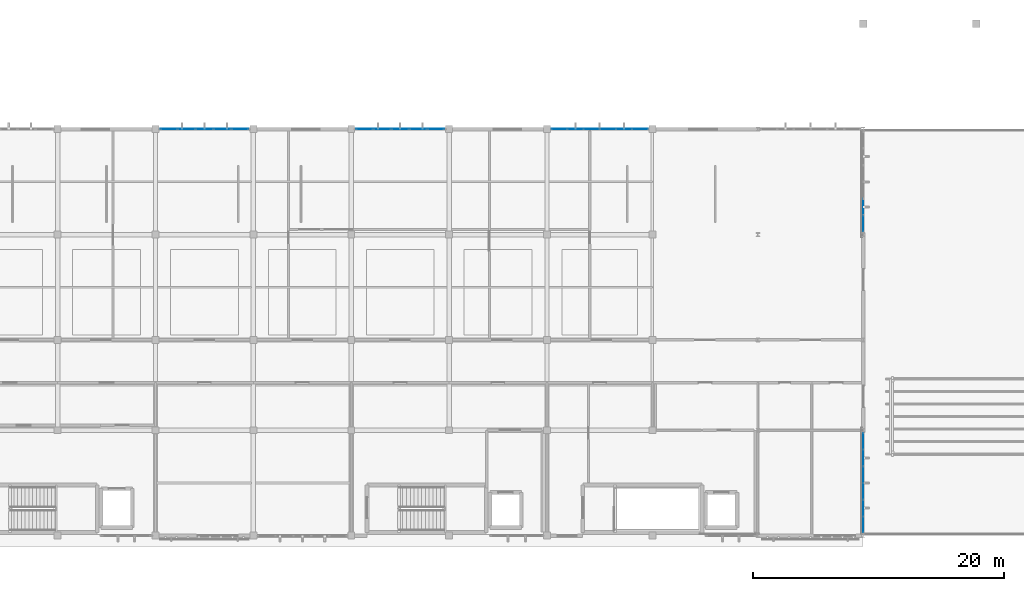
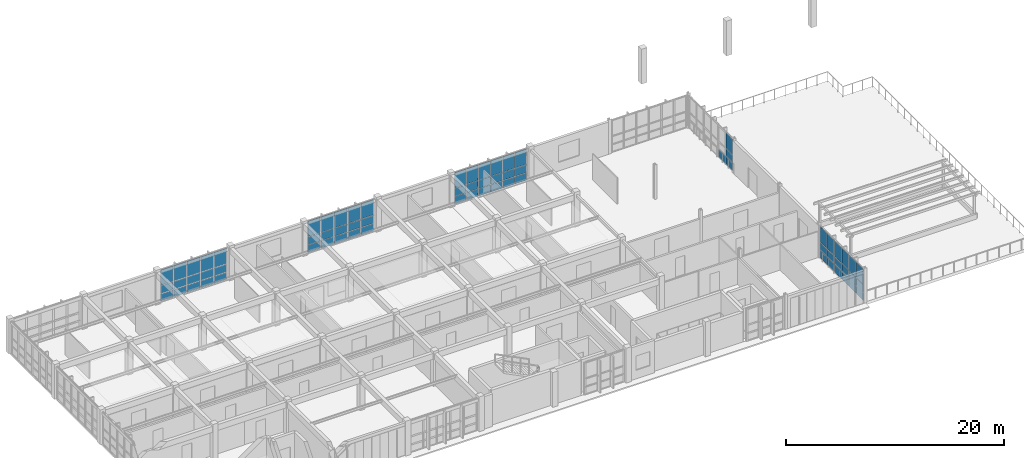
# One storey, part 20 of 35: 70 plates, 5 elements without a shape of their own.
"""IFC4 building model written with IfcOpenShell, lengths in metres."""

from ifc_helpers import new_model, si_unit, direction, frame, origin, origin_2d, place, context, subcontext, project, spatial, rectangle, extrude, material, layer, layer_set, type_object, element, aggregate, save


model = new_model("IFC4")

# Units and contexts
model_context = context("Model", 3, precision=1e-05, world=origin(), true_north=direction((0.0, 1.0)))
body_context = subcontext(model_context, "Body", "Model", "MODEL_VIEW")
ifc_project = project(units=[si_unit("LENGTHUNIT", "METRE"), si_unit("AREAUNIT", "SQUARE_METRE"), si_unit("VOLUMEUNIT", "CUBIC_METRE"), si_unit("PLANEANGLEUNIT", "RADIAN"), si_unit("MASSUNIT", "GRAM", prefix="KILO")], contexts=[model_context])

# Site, building, storey
site_placement = place(None, origin())
site = spatial("IfcSite", under=ifc_project, at=site_placement, CompositionType="ELEMENT")
building_placement = place(site_placement, origin())
building = spatial("IfcBuilding", under=site, at=building_placement, Name="Tizgana Railside Sports Hall", CompositionType="ELEMENT")
storey_placement = place(building_placement, frame((0.0, 0.0, 15.89990234375)))
storey = spatial("IfcBuildingStorey", under=building, at=storey_placement, Name="L03", CompositionType="ELEMENT", Elevation=15.89990234375)

# Curtain wall, plates
ifc_material_1 = material(Name="Anodised aluminium and glass", Category="aluminium")
curtain_wall_type_1 = type_object("IfcCurtainWallType", Name="Unitised Curtain Wall Passage 1800", PredefinedType="NOTDEFINED", material=ifc_material_1)
curtain_wall_1_placement = place(storey_placement, origin())
curtain_wall_1 = element("IfcCurtainWall", 1, at=curtain_wall_1_placement, inside=storey, type_object=curtain_wall_type_1, Name="L03 Curtain Wall CW-0125", PredefinedType="NOTDEFINED")
ifc_material_2 = material(Name="Double low-E laminated glass", Category="glass")
ifc_layer_1 = layer(ifc_material_2, 0.033935546875, Name="Double low-E laminated glass")
ifc_layer_set_1 = layer_set([ifc_layer_1], Name="Double low-E laminated glass")
plate_type_1 = type_object("IfcPlateType", Name="Acoustic Laminated Glazing Panel 34", PredefinedType="CURTAIN_PANEL", material=ifc_layer_set_1)
plate_1_placement = place(storey_placement, frame((40.062744140625, 32.39990234375, 0.05517578125), z_axis=(0.0, 0.0, 1.0), x_axis=(1.0, 0.0, 0.0)))
plate_1 = element("IfcPlate", 2, at=plate_1_placement, type_object=plate_type_1, Name="CW-06 panel 1.1", PredefinedType="CURTAIN_PANEL", context=body_context, shape_type="SweptSolid", body=[
    extrude(rectangle(XDim=1.3154296875, YDim=0.033935546875, at=origin_2d()), origin(), (0.0, 0.0, 1.0), 0.8173828125),
])
plate_2_placement = place(storey_placement, frame((40.062744140625, 32.39990234375, 0.927734375), z_axis=(0.0, 0.0, 1.0), x_axis=(1.0, 0.0, 0.0)))
plate_2 = element("IfcPlate", 3, at=plate_2_placement, type_object=plate_type_1, Name="CW-06 panel 1.2", PredefinedType="CURTAIN_PANEL", context=body_context, shape_type="SweptSolid", body=[
    extrude(rectangle(XDim=1.3154296875, YDim=0.033935546875, at=origin_2d()), origin(), (0.0, 0.0, 1.0), 0.864990234375),
])
plate_3_placement = place(storey_placement, frame((40.062744140625, 32.39990234375, 1.84765625), z_axis=(0.0, 0.0, 1.0), x_axis=(1.0, 0.0, 0.0)))
plate_3 = element("IfcPlate", 4, at=plate_3_placement, type_object=plate_type_1, Name="CW-06 panel 1.3", PredefinedType="CURTAIN_PANEL", context=body_context, shape_type="SweptSolid", body=[
    extrude(rectangle(XDim=1.3154296875, YDim=0.033935546875, at=origin_2d()), origin(), (0.0, 0.0, 1.0), 1.737548828125),
])
plate_4_placement = place(storey_placement, frame((41.471923828125, 32.39990234375, 0.05517578125), z_axis=(0.0, 0.0, 1.0), x_axis=(1.0, 0.0, 0.0)))
plate_4 = element("IfcPlate", 5, at=plate_4_placement, type_object=plate_type_1, Name="CW-06 panel 2.1", PredefinedType="CURTAIN_PANEL", context=body_context, shape_type="SweptSolid", body=[
    extrude(rectangle(XDim=1.35302734375, YDim=0.033935546875, at=origin_2d()), origin(), (0.0, 0.0, 1.0), 0.8173828125),
])
plate_5_placement = place(storey_placement, frame((41.471923828125, 32.39990234375, 0.927734375), z_axis=(0.0, 0.0, 1.0), x_axis=(1.0, 0.0, 0.0)))
plate_5 = element("IfcPlate", 6, at=plate_5_placement, type_object=plate_type_1, Name="CW-06 panel 2.2", PredefinedType="CURTAIN_PANEL", context=body_context, shape_type="SweptSolid", body=[
    extrude(rectangle(XDim=1.35302734375, YDim=0.033935546875, at=origin_2d()), origin(), (0.0, 0.0, 1.0), 0.864990234375),
])
plate_6_placement = place(storey_placement, frame((41.471923828125, 32.39990234375, 1.84765625), z_axis=(0.0, 0.0, 1.0), x_axis=(1.0, 0.0, 0.0)))
plate_6 = element("IfcPlate", 7, at=plate_6_placement, type_object=plate_type_1, Name="CW-06 panel 2.3", PredefinedType="CURTAIN_PANEL", context=body_context, shape_type="SweptSolid", body=[
    extrude(rectangle(XDim=1.35302734375, YDim=0.033935546875, at=origin_2d()), origin(), (0.0, 0.0, 1.0), 1.737548828125),
])
plate_7_placement = place(storey_placement, frame((42.89990234375, 32.39990234375, 0.05517578125), z_axis=(0.0, 0.0, 1.0), x_axis=(1.0, 0.0, 0.0)))
plate_7 = element("IfcPlate", 8, at=plate_7_placement, type_object=plate_type_1, Name="CW-06 panel 3.1", PredefinedType="CURTAIN_PANEL", context=body_context, shape_type="SweptSolid", body=[
    extrude(rectangle(XDim=1.35302734375, YDim=0.033935546875, at=origin_2d()), origin(), (0.0, 0.0, 1.0), 0.8173828125),
])
plate_8_placement = place(storey_placement, frame((42.89990234375, 32.39990234375, 0.927734375), z_axis=(0.0, 0.0, 1.0), x_axis=(1.0, 0.0, 0.0)))
plate_8 = element("IfcPlate", 9, at=plate_8_placement, type_object=plate_type_1, Name="CW-06 panel 3.2", PredefinedType="CURTAIN_PANEL", context=body_context, shape_type="SweptSolid", body=[
    extrude(rectangle(XDim=1.35302734375, YDim=0.033935546875, at=origin_2d()), origin(), (0.0, 0.0, 1.0), 0.864990234375),
])
plate_9_placement = place(storey_placement, frame((42.89990234375, 32.39990234375, 1.84765625), z_axis=(0.0, 0.0, 1.0), x_axis=(1.0, 0.0, 0.0)))
plate_9 = element("IfcPlate", 10, at=plate_9_placement, type_object=plate_type_1, Name="CW-06 panel 3.3", PredefinedType="CURTAIN_PANEL", context=body_context, shape_type="SweptSolid", body=[
    extrude(rectangle(XDim=1.35302734375, YDim=0.033935546875, at=origin_2d()), origin(), (0.0, 0.0, 1.0), 1.737548828125),
])
plate_10_placement = place(storey_placement, frame((44.327880859375, 32.39990234375, 0.05517578125), z_axis=(0.0, 0.0, 1.0), x_axis=(1.0, 0.0, 0.0)))
plate_10 = element("IfcPlate", 11, at=plate_10_placement, type_object=plate_type_1, Name="CW-06 panel 4.1", PredefinedType="CURTAIN_PANEL", context=body_context, shape_type="SweptSolid", body=[
    extrude(rectangle(XDim=1.35302734375, YDim=0.033935546875, at=origin_2d()), origin(), (0.0, 0.0, 1.0), 0.8173828125),
])
plate_11_placement = place(storey_placement, frame((44.327880859375, 32.39990234375, 0.927734375), z_axis=(0.0, 0.0, 1.0), x_axis=(1.0, 0.0, 0.0)))
plate_11 = element("IfcPlate", 12, at=plate_11_placement, type_object=plate_type_1, Name="CW-06 panel 4.2", PredefinedType="CURTAIN_PANEL", context=body_context, shape_type="SweptSolid", body=[
    extrude(rectangle(XDim=1.35302734375, YDim=0.033935546875, at=origin_2d()), origin(), (0.0, 0.0, 1.0), 0.864990234375),
])
plate_12_placement = place(storey_placement, frame((44.327880859375, 32.39990234375, 1.84765625), z_axis=(0.0, 0.0, 1.0), x_axis=(1.0, 0.0, 0.0)))
plate_12 = element("IfcPlate", 13, at=plate_12_placement, type_object=plate_type_1, Name="CW-06 panel 4.3", PredefinedType="CURTAIN_PANEL", context=body_context, shape_type="SweptSolid", body=[
    extrude(rectangle(XDim=1.35302734375, YDim=0.033935546875, at=origin_2d()), origin(), (0.0, 0.0, 1.0), 1.737548828125),
])
plate_13_placement = place(storey_placement, frame((45.7373046875, 32.39990234375, 0.05517578125), z_axis=(0.0, 0.0, 1.0), x_axis=(1.0, 0.0, 0.0)))
plate_13 = element("IfcPlate", 14, at=plate_13_placement, type_object=plate_type_1, Name="CW-06 panel 5.1", PredefinedType="CURTAIN_PANEL", context=body_context, shape_type="SweptSolid", body=[
    extrude(rectangle(XDim=1.3154296875, YDim=0.033935546875, at=origin_2d()), origin(), (0.0, 0.0, 1.0), 0.8173828125),
])
plate_14_placement = place(storey_placement, frame((45.7373046875, 32.39990234375, 0.927734375), z_axis=(0.0, 0.0, 1.0), x_axis=(1.0, 0.0, 0.0)))
plate_14 = element("IfcPlate", 15, at=plate_14_placement, type_object=plate_type_1, Name="CW-06 panel 5.2", PredefinedType="CURTAIN_PANEL", context=body_context, shape_type="SweptSolid", body=[
    extrude(rectangle(XDim=1.3154296875, YDim=0.033935546875, at=origin_2d()), origin(), (0.0, 0.0, 1.0), 0.864990234375),
])
plate_15_placement = place(storey_placement, frame((45.7373046875, 32.39990234375, 1.84765625), z_axis=(0.0, 0.0, 1.0), x_axis=(1.0, 0.0, 0.0)))
plate_15 = element("IfcPlate", 16, at=plate_15_placement, type_object=plate_type_1, Name="CW-06 panel 5.3", PredefinedType="CURTAIN_PANEL", context=body_context, shape_type="SweptSolid", body=[
    extrude(rectangle(XDim=1.3154296875, YDim=0.033935546875, at=origin_2d()), origin(), (0.0, 0.0, 1.0), 1.737548828125),
])
aggregate(curtain_wall_1, [plate_1, plate_2, plate_3, plate_4, plate_5, plate_6, plate_7, plate_8, plate_9, plate_10, plate_11, plate_12, plate_13, plate_14, plate_15])

curtain_wall_2_placement = place(storey_placement, origin())
curtain_wall_2 = element("IfcCurtainWall", 17, at=curtain_wall_2_placement, inside=storey, type_object=curtain_wall_type_1, Name="L03 Curtain Wall CW-0133", PredefinedType="NOTDEFINED")
plate_16_placement = place(storey_placement, frame((79.800048828125, 26.197509765625, 0.06005859375), z_axis=(0.0, 0.0, 1.0), x_axis=(0.0, -1.0, 0.0)))
plate_16 = element("IfcPlate", 18, at=plate_16_placement, type_object=plate_type_1, Name="CW-06 panel 5.1", PredefinedType="CURTAIN_PANEL", context=body_context, shape_type="SweptSolid", body=[
    extrude(rectangle(XDim=1.27490234375, YDim=0.033935546875, at=origin_2d()), origin(), (0.0, 0.0, 1.0), 0.81005859375),
])
plate_17_placement = place(storey_placement, frame((79.800048828125, 24.87744140625, 0.06005859375), z_axis=(0.0, 0.0, 1.0), x_axis=(0.0, -1.0, 0.0)))
plate_17 = element("IfcPlate", 19, at=plate_17_placement, type_object=plate_type_1, Name="CW-06 panel 6.1", PredefinedType="CURTAIN_PANEL", context=body_context, shape_type="SweptSolid", body=[
    extrude(rectangle(XDim=1.2451171875, YDim=0.033935546875, at=origin_2d()), origin(), (0.0, 0.0, 1.0), 0.81005859375),
])
plate_18_placement = place(storey_placement, frame((79.800048828125, 24.87744140625, 0.93017578125), z_axis=(0.0, 0.0, 1.0), x_axis=(0.0, -1.0, 0.0)))
plate_18 = element("IfcPlate", 20, at=plate_18_placement, type_object=plate_type_1, Name="CW-06 panel 6.2", PredefinedType="CURTAIN_PANEL", context=body_context, shape_type="SweptSolid", body=[
    extrude(rectangle(XDim=1.2451171875, YDim=0.033935546875, at=origin_2d()), origin(), (0.0, 0.0, 1.0), 0.860107421875),
])
plate_19_placement = place(storey_placement, frame((79.800048828125, 24.87744140625, 1.85009765625), z_axis=(0.0, 0.0, 1.0), x_axis=(0.0, -1.0, 0.0)))
plate_19 = element("IfcPlate", 21, at=plate_19_placement, type_object=plate_type_1, Name="CW-06 panel 6.3", PredefinedType="CURTAIN_PANEL", context=body_context, shape_type="SweptSolid", body=[
    extrude(rectangle(XDim=1.2451171875, YDim=0.033935546875, at=origin_2d()), origin(), (0.0, 0.0, 1.0), 1.72998046875),
])
aggregate(curtain_wall_2, [plate_16, plate_17, plate_18, plate_19])

curtain_wall_type_2 = type_object("IfcCurtainWallType", Name="Unitised Curtain Wall WestHall 1560", PredefinedType="NOTDEFINED", material=ifc_material_1)
curtain_wall_3_placement = place(storey_placement, origin())
curtain_wall_3 = element("IfcCurtainWall", 22, at=curtain_wall_3_placement, inside=storey, type_object=curtain_wall_type_2, Name="L03 Curtain Wall CW-0126", PredefinedType="NOTDEFINED")
ifc_layer_2 = layer(ifc_material_2, 0.0400390625, Name="Double low-E laminated glass")
ifc_layer_set_2 = layer_set([ifc_layer_2], Name="Double low-E laminated glass")
plate_type_2 = type_object("IfcPlateType", Name="High-Span Tempered Glazing Panel 40", PredefinedType="CURTAIN_PANEL", material=ifc_layer_set_2)
plate_20_placement = place(storey_placement, frame((55.590087890625, 32.39990234375, 0.06005859375), z_axis=(0.0, 0.0, 1.0), x_axis=(1.0, 0.0, 0.0)))
plate_20 = element("IfcPlate", 23, at=plate_20_placement, type_object=plate_type_2, Name="CW-07 panel 1.1", PredefinedType="CURTAIN_PANEL", context=body_context, shape_type="SweptSolid", body=[
    extrude(rectangle(XDim=1.199951171875, YDim=0.0400390625, at=origin_2d()), origin(), (0.0, 0.0, 1.0), 0.81005859375),
])
plate_21_placement = place(storey_placement, frame((55.590087890625, 32.39990234375, 0.93017578125), z_axis=(0.0, 0.0, 1.0), x_axis=(1.0, 0.0, 0.0)))
plate_21 = element("IfcPlate", 24, at=plate_21_placement, type_object=plate_type_2, Name="CW-07 panel 1.2", PredefinedType="CURTAIN_PANEL", context=body_context, shape_type="SweptSolid", body=[
    extrude(rectangle(XDim=1.199951171875, YDim=0.0400390625, at=origin_2d()), origin(), (0.0, 0.0, 1.0), 0.860107421875),
])
plate_22_placement = place(storey_placement, frame((55.590087890625, 32.39990234375, 1.85009765625), z_axis=(0.0, 0.0, 1.0), x_axis=(1.0, 0.0, 0.0)))
plate_22 = element("IfcPlate", 25, at=plate_22_placement, type_object=plate_type_2, Name="CW-07 panel 1.3", PredefinedType="CURTAIN_PANEL", context=body_context, shape_type="SweptSolid", body=[
    extrude(rectangle(XDim=1.199951171875, YDim=0.0400390625, at=origin_2d()), origin(), (0.0, 0.0, 1.0), 1.72998046875),
])
plate_23_placement = place(storey_placement, frame((56.864990234375, 32.39990234375, 0.06005859375), z_axis=(0.0, 0.0, 1.0), x_axis=(1.0, 0.0, 0.0)))
plate_23 = element("IfcPlate", 26, at=plate_23_placement, type_object=plate_type_2, Name="CW-07 panel 2.1", PredefinedType="CURTAIN_PANEL", context=body_context, shape_type="SweptSolid", body=[
    extrude(rectangle(XDim=1.22998046875, YDim=0.0400390625, at=origin_2d()), origin(), (0.0, 0.0, 1.0), 0.81005859375),
])
plate_24_placement = place(storey_placement, frame((56.864990234375, 32.39990234375, 0.93017578125), z_axis=(0.0, 0.0, 1.0), x_axis=(1.0, 0.0, 0.0)))
plate_24 = element("IfcPlate", 27, at=plate_24_placement, type_object=plate_type_2, Name="CW-07 panel 2.2", PredefinedType="CURTAIN_PANEL", context=body_context, shape_type="SweptSolid", body=[
    extrude(rectangle(XDim=1.22998046875, YDim=0.0400390625, at=origin_2d()), origin(), (0.0, 0.0, 1.0), 0.860107421875),
])
plate_25_placement = place(storey_placement, frame((56.864990234375, 32.39990234375, 1.85009765625), z_axis=(0.0, 0.0, 1.0), x_axis=(1.0, 0.0, 0.0)))
plate_25 = element("IfcPlate", 28, at=plate_25_placement, type_object=plate_type_2, Name="CW-07 panel 2.3", PredefinedType="CURTAIN_PANEL", context=body_context, shape_type="SweptSolid", body=[
    extrude(rectangle(XDim=1.22998046875, YDim=0.0400390625, at=origin_2d()), origin(), (0.0, 0.0, 1.0), 1.72998046875),
])
plate_26_placement = place(storey_placement, frame((58.155029296875, 32.39990234375, 0.06005859375), z_axis=(0.0, 0.0, 1.0), x_axis=(1.0, 0.0, 0.0)))
plate_26 = element("IfcPlate", 29, at=plate_26_placement, type_object=plate_type_2, Name="CW-07 panel 3.1", PredefinedType="CURTAIN_PANEL", context=body_context, shape_type="SweptSolid", body=[
    extrude(rectangle(XDim=1.22998046875, YDim=0.0400390625, at=origin_2d()), origin(), (0.0, 0.0, 1.0), 0.81005859375),
])
plate_27_placement = place(storey_placement, frame((58.155029296875, 32.39990234375, 0.93017578125), z_axis=(0.0, 0.0, 1.0), x_axis=(1.0, 0.0, 0.0)))
plate_27 = element("IfcPlate", 30, at=plate_27_placement, type_object=plate_type_2, Name="CW-07 panel 3.2", PredefinedType="CURTAIN_PANEL", context=body_context, shape_type="SweptSolid", body=[
    extrude(rectangle(XDim=1.22998046875, YDim=0.0400390625, at=origin_2d()), origin(), (0.0, 0.0, 1.0), 0.860107421875),
])
plate_28_placement = place(storey_placement, frame((58.155029296875, 32.39990234375, 1.85009765625), z_axis=(0.0, 0.0, 1.0), x_axis=(1.0, 0.0, 0.0)))
plate_28 = element("IfcPlate", 31, at=plate_28_placement, type_object=plate_type_2, Name="CW-07 panel 3.3", PredefinedType="CURTAIN_PANEL", context=body_context, shape_type="SweptSolid", body=[
    extrude(rectangle(XDim=1.22998046875, YDim=0.0400390625, at=origin_2d()), origin(), (0.0, 0.0, 1.0), 1.72998046875),
])
plate_29_placement = place(storey_placement, frame((59.445068359375, 32.39990234375, 0.06005859375), z_axis=(0.0, 0.0, 1.0), x_axis=(1.0, 0.0, 0.0)))
plate_29 = element("IfcPlate", 32, at=plate_29_placement, type_object=plate_type_2, Name="CW-07 panel 4.1", PredefinedType="CURTAIN_PANEL", context=body_context, shape_type="SweptSolid", body=[
    extrude(rectangle(XDim=1.22998046875, YDim=0.0400390625, at=origin_2d()), origin(), (0.0, 0.0, 1.0), 0.81005859375),
])
plate_30_placement = place(storey_placement, frame((59.445068359375, 32.39990234375, 0.93017578125), z_axis=(0.0, 0.0, 1.0), x_axis=(1.0, 0.0, 0.0)))
plate_30 = element("IfcPlate", 33, at=plate_30_placement, type_object=plate_type_2, Name="CW-07 panel 4.2", PredefinedType="CURTAIN_PANEL", context=body_context, shape_type="SweptSolid", body=[
    extrude(rectangle(XDim=1.22998046875, YDim=0.0400390625, at=origin_2d()), origin(), (0.0, 0.0, 1.0), 0.860107421875),
])
plate_31_placement = place(storey_placement, frame((59.445068359375, 32.39990234375, 1.85009765625), z_axis=(0.0, 0.0, 1.0), x_axis=(1.0, 0.0, 0.0)))
plate_31 = element("IfcPlate", 34, at=plate_31_placement, type_object=plate_type_2, Name="CW-07 panel 4.3", PredefinedType="CURTAIN_PANEL", context=body_context, shape_type="SweptSolid", body=[
    extrude(rectangle(XDim=1.22998046875, YDim=0.0400390625, at=origin_2d()), origin(), (0.0, 0.0, 1.0), 1.72998046875),
])
plate_32_placement = place(storey_placement, frame((60.735107421875, 32.39990234375, 0.06005859375), z_axis=(0.0, 0.0, 1.0), x_axis=(1.0, 0.0, 0.0)))
plate_32 = element("IfcPlate", 35, at=plate_32_placement, type_object=plate_type_2, Name="CW-07 panel 5.1", PredefinedType="CURTAIN_PANEL", context=body_context, shape_type="SweptSolid", body=[
    extrude(rectangle(XDim=1.22998046875, YDim=0.0400390625, at=origin_2d()), origin(), (0.0, 0.0, 1.0), 0.81005859375),
])
plate_33_placement = place(storey_placement, frame((60.735107421875, 32.39990234375, 0.93017578125), z_axis=(0.0, 0.0, 1.0), x_axis=(1.0, 0.0, 0.0)))
plate_33 = element("IfcPlate", 36, at=plate_33_placement, type_object=plate_type_2, Name="CW-07 panel 5.2", PredefinedType="CURTAIN_PANEL", context=body_context, shape_type="SweptSolid", body=[
    extrude(rectangle(XDim=1.22998046875, YDim=0.0400390625, at=origin_2d()), origin(), (0.0, 0.0, 1.0), 0.860107421875),
])
plate_34_placement = place(storey_placement, frame((60.735107421875, 32.39990234375, 1.85009765625), z_axis=(0.0, 0.0, 1.0), x_axis=(1.0, 0.0, 0.0)))
plate_34 = element("IfcPlate", 37, at=plate_34_placement, type_object=plate_type_2, Name="CW-07 panel 5.3", PredefinedType="CURTAIN_PANEL", context=body_context, shape_type="SweptSolid", body=[
    extrude(rectangle(XDim=1.22998046875, YDim=0.0400390625, at=origin_2d()), origin(), (0.0, 0.0, 1.0), 1.72998046875),
])
plate_35_placement = place(storey_placement, frame((62.010009765625, 32.39990234375, 0.06005859375), z_axis=(0.0, 0.0, 1.0), x_axis=(1.0, 0.0, 0.0)))
plate_35 = element("IfcPlate", 38, at=plate_35_placement, type_object=plate_type_2, Name="CW-07 panel 6.1", PredefinedType="CURTAIN_PANEL", context=body_context, shape_type="SweptSolid", body=[
    extrude(rectangle(XDim=1.199951171875, YDim=0.0400390625, at=origin_2d()), origin(), (0.0, 0.0, 1.0), 0.81005859375),
])
plate_36_placement = place(storey_placement, frame((62.010009765625, 32.39990234375, 0.93017578125), z_axis=(0.0, 0.0, 1.0), x_axis=(1.0, 0.0, 0.0)))
plate_36 = element("IfcPlate", 39, at=plate_36_placement, type_object=plate_type_2, Name="CW-07 panel 6.2", PredefinedType="CURTAIN_PANEL", context=body_context, shape_type="SweptSolid", body=[
    extrude(rectangle(XDim=1.199951171875, YDim=0.0400390625, at=origin_2d()), origin(), (0.0, 0.0, 1.0), 0.860107421875),
])
plate_37_placement = place(storey_placement, frame((62.010009765625, 32.39990234375, 1.85009765625), z_axis=(0.0, 0.0, 1.0), x_axis=(1.0, 0.0, 0.0)))
plate_37 = element("IfcPlate", 40, at=plate_37_placement, type_object=plate_type_2, Name="CW-07 panel 6.3", PredefinedType="CURTAIN_PANEL", context=body_context, shape_type="SweptSolid", body=[
    extrude(rectangle(XDim=1.199951171875, YDim=0.0400390625, at=origin_2d()), origin(), (0.0, 0.0, 1.0), 1.72998046875),
])
aggregate(curtain_wall_3, [plate_20, plate_21, plate_22, plate_23, plate_24, plate_25, plate_26, plate_27, plate_28, plate_29, plate_30, plate_31, plate_32, plate_33, plate_34, plate_35, plate_36, plate_37])

curtain_wall_type_3 = type_object("IfcCurtainWallType", Name="Unitised Curtain Wall Clinic 1200", PredefinedType="NOTDEFINED", material=ifc_material_1)
curtain_wall_4_placement = place(storey_placement, origin())
curtain_wall_4 = element("IfcCurtainWall", 41, at=curtain_wall_4_placement, inside=storey, type_object=curtain_wall_type_3, Name="L03 Curtain Wall CW-0124", PredefinedType="NOTDEFINED")
ifc_layer_3 = layer(ifc_material_2, 0.028076171875, Name="Double low-E laminated glass")
ifc_layer_set_3 = layer_set([ifc_layer_3], Name="Double low-E laminated glass")
plate_type_3 = type_object("IfcPlateType", Name="Solar Low-E Glazing Panel 28", PredefinedType="CURTAIN_PANEL", material=ifc_layer_set_3)
plate_38_placement = place(storey_placement, frame((24.46142578125, 32.39990234375, 0.070068359375), z_axis=(0.0, 0.0, 1.0), x_axis=(1.0, 0.0, 0.0)))
plate_38 = element("IfcPlate", 42, at=plate_38_placement, type_object=plate_type_3, Name="CW-05 panel 1.1", PredefinedType="CURTAIN_PANEL", context=body_context, shape_type="SweptSolid", body=[
    extrude(rectangle(XDim=1.322998046875, YDim=0.028076171875, at=origin_2d()), origin(), (0.0, 0.0, 1.0), 0.794921875),
])
plate_39_placement = place(storey_placement, frame((24.46142578125, 32.39990234375, 0.93505859375), z_axis=(0.0, 0.0, 1.0), x_axis=(1.0, 0.0, 0.0)))
plate_39 = element("IfcPlate", 43, at=plate_39_placement, type_object=plate_type_3, Name="CW-05 panel 1.2", PredefinedType="CURTAIN_PANEL", context=body_context, shape_type="SweptSolid", body=[
    extrude(rectangle(XDim=1.322998046875, YDim=0.028076171875, at=origin_2d()), origin(), (0.0, 0.0, 1.0), 0.85009765625),
])
plate_40_placement = place(storey_placement, frame((24.46142578125, 32.39990234375, 1.85498046875), z_axis=(0.0, 0.0, 1.0), x_axis=(1.0, 0.0, 0.0)))
plate_40 = element("IfcPlate", 44, at=plate_40_placement, type_object=plate_type_3, Name="CW-05 panel 1.3", PredefinedType="CURTAIN_PANEL", context=body_context, shape_type="SweptSolid", body=[
    extrude(rectangle(XDim=1.322998046875, YDim=0.028076171875, at=origin_2d()), origin(), (0.0, 0.0, 1.0), 1.715087890625),
])
plate_41_placement = place(storey_placement, frame((25.8720703125, 32.39990234375, 0.070068359375), z_axis=(0.0, 0.0, 1.0), x_axis=(1.0, 0.0, 0.0)))
plate_41 = element("IfcPlate", 45, at=plate_41_placement, type_object=plate_type_3, Name="CW-05 panel 2.1", PredefinedType="CURTAIN_PANEL", context=body_context, shape_type="SweptSolid", body=[
    extrude(rectangle(XDim=1.35791015625, YDim=0.028076171875, at=origin_2d()), origin(), (0.0, 0.0, 1.0), 0.794921875),
])
plate_42_placement = place(storey_placement, frame((25.8720703125, 32.39990234375, 0.93505859375), z_axis=(0.0, 0.0, 1.0), x_axis=(1.0, 0.0, 0.0)))
plate_42 = element("IfcPlate", 46, at=plate_42_placement, type_object=plate_type_3, Name="CW-05 panel 2.2", PredefinedType="CURTAIN_PANEL", context=body_context, shape_type="SweptSolid", body=[
    extrude(rectangle(XDim=1.35791015625, YDim=0.028076171875, at=origin_2d()), origin(), (0.0, 0.0, 1.0), 0.85009765625),
])
plate_43_placement = place(storey_placement, frame((25.8720703125, 32.39990234375, 1.85498046875), z_axis=(0.0, 0.0, 1.0), x_axis=(1.0, 0.0, 0.0)))
plate_43 = element("IfcPlate", 47, at=plate_43_placement, type_object=plate_type_3, Name="CW-05 panel 2.3", PredefinedType="CURTAIN_PANEL", context=body_context, shape_type="SweptSolid", body=[
    extrude(rectangle(XDim=1.35791015625, YDim=0.028076171875, at=origin_2d()), origin(), (0.0, 0.0, 1.0), 1.715087890625),
])
plate_44_placement = place(storey_placement, frame((27.300048828125, 32.39990234375, 0.070068359375), z_axis=(0.0, 0.0, 1.0), x_axis=(1.0, 0.0, 0.0)))
plate_44 = element("IfcPlate", 48, at=plate_44_placement, type_object=plate_type_3, Name="CW-05 panel 3.1", PredefinedType="CURTAIN_PANEL", context=body_context, shape_type="SweptSolid", body=[
    extrude(rectangle(XDim=1.35791015625, YDim=0.028076171875, at=origin_2d()), origin(), (0.0, 0.0, 1.0), 0.794921875),
])
plate_45_placement = place(storey_placement, frame((27.300048828125, 32.39990234375, 0.93505859375), z_axis=(0.0, 0.0, 1.0), x_axis=(1.0, 0.0, 0.0)))
plate_45 = element("IfcPlate", 49, at=plate_45_placement, type_object=plate_type_3, Name="CW-05 panel 3.2", PredefinedType="CURTAIN_PANEL", context=body_context, shape_type="SweptSolid", body=[
    extrude(rectangle(XDim=1.35791015625, YDim=0.028076171875, at=origin_2d()), origin(), (0.0, 0.0, 1.0), 0.85009765625),
])
plate_46_placement = place(storey_placement, frame((27.300048828125, 32.39990234375, 1.85498046875), z_axis=(0.0, 0.0, 1.0), x_axis=(1.0, 0.0, 0.0)))
plate_46 = element("IfcPlate", 50, at=plate_46_placement, type_object=plate_type_3, Name="CW-05 panel 3.3", PredefinedType="CURTAIN_PANEL", context=body_context, shape_type="SweptSolid", body=[
    extrude(rectangle(XDim=1.35791015625, YDim=0.028076171875, at=origin_2d()), origin(), (0.0, 0.0, 1.0), 1.715087890625),
])
plate_47_placement = place(storey_placement, frame((28.72802734375, 32.39990234375, 0.070068359375), z_axis=(0.0, 0.0, 1.0), x_axis=(1.0, 0.0, 0.0)))
plate_47 = element("IfcPlate", 51, at=plate_47_placement, type_object=plate_type_3, Name="CW-05 panel 4.1", PredefinedType="CURTAIN_PANEL", context=body_context, shape_type="SweptSolid", body=[
    extrude(rectangle(XDim=1.35791015625, YDim=0.028076171875, at=origin_2d()), origin(), (0.0, 0.0, 1.0), 0.794921875),
])
plate_48_placement = place(storey_placement, frame((28.72802734375, 32.39990234375, 0.93505859375), z_axis=(0.0, 0.0, 1.0), x_axis=(1.0, 0.0, 0.0)))
plate_48 = element("IfcPlate", 52, at=plate_48_placement, type_object=plate_type_3, Name="CW-05 panel 4.2", PredefinedType="CURTAIN_PANEL", context=body_context, shape_type="SweptSolid", body=[
    extrude(rectangle(XDim=1.35791015625, YDim=0.028076171875, at=origin_2d()), origin(), (0.0, 0.0, 1.0), 0.85009765625),
])
plate_49_placement = place(storey_placement, frame((28.72802734375, 32.39990234375, 1.85498046875), z_axis=(0.0, 0.0, 1.0), x_axis=(1.0, 0.0, 0.0)))
plate_49 = element("IfcPlate", 53, at=plate_49_placement, type_object=plate_type_3, Name="CW-05 panel 4.3", PredefinedType="CURTAIN_PANEL", context=body_context, shape_type="SweptSolid", body=[
    extrude(rectangle(XDim=1.35791015625, YDim=0.028076171875, at=origin_2d()), origin(), (0.0, 0.0, 1.0), 1.715087890625),
])
plate_50_placement = place(storey_placement, frame((30.138427734375, 32.39990234375, 0.070068359375), z_axis=(0.0, 0.0, 1.0), x_axis=(1.0, 0.0, 0.0)))
plate_50 = element("IfcPlate", 54, at=plate_50_placement, type_object=plate_type_3, Name="CW-05 panel 5.1", PredefinedType="CURTAIN_PANEL", context=body_context, shape_type="SweptSolid", body=[
    extrude(rectangle(XDim=1.322998046875, YDim=0.028076171875, at=origin_2d()), origin(), (0.0, 0.0, 1.0), 0.794921875),
])
plate_51_placement = place(storey_placement, frame((30.138427734375, 32.39990234375, 0.93505859375), z_axis=(0.0, 0.0, 1.0), x_axis=(1.0, 0.0, 0.0)))
plate_51 = element("IfcPlate", 55, at=plate_51_placement, type_object=plate_type_3, Name="CW-05 panel 5.2", PredefinedType="CURTAIN_PANEL", context=body_context, shape_type="SweptSolid", body=[
    extrude(rectangle(XDim=1.322998046875, YDim=0.028076171875, at=origin_2d()), origin(), (0.0, 0.0, 1.0), 0.85009765625),
])
plate_52_placement = place(storey_placement, frame((30.138427734375, 32.39990234375, 1.85498046875), z_axis=(0.0, 0.0, 1.0), x_axis=(1.0, 0.0, 0.0)))
plate_52 = element("IfcPlate", 56, at=plate_52_placement, type_object=plate_type_3, Name="CW-05 panel 5.3", PredefinedType="CURTAIN_PANEL", context=body_context, shape_type="SweptSolid", body=[
    extrude(rectangle(XDim=1.322998046875, YDim=0.028076171875, at=origin_2d()), origin(), (0.0, 0.0, 1.0), 1.715087890625),
])
aggregate(curtain_wall_4, [plate_38, plate_39, plate_40, plate_41, plate_42, plate_43, plate_44, plate_45, plate_46, plate_47, plate_48, plate_49, plate_50, plate_51, plate_52])

curtain_wall_5_placement = place(storey_placement, origin())
curtain_wall_5 = element("IfcCurtainWall", 57, at=curtain_wall_5_placement, inside=storey, type_object=curtain_wall_type_3, Name="L03 Curtain Wall CW-0132", PredefinedType="NOTDEFINED")
plate_53_placement = place(storey_placement, frame((79.800048828125, 7.5224609375, 0.06005859375), z_axis=(0.0, 0.0, 1.0), x_axis=(0.0, -1.0, 0.0)))
plate_53 = element("IfcPlate", 58, at=plate_53_placement, type_object=plate_type_3, Name="CW-05 panel 1.1", PredefinedType="CURTAIN_PANEL", context=body_context, shape_type="SweptSolid", body=[
    extrude(rectangle(XDim=1.2451171875, YDim=0.028076171875, at=origin_2d()), origin(), (0.0, 0.0, 1.0), 0.81005859375),
])
plate_54_placement = place(storey_placement, frame((79.800048828125, 7.5224609375, 0.93017578125), z_axis=(0.0, 0.0, 1.0), x_axis=(0.0, -1.0, 0.0)))
plate_54 = element("IfcPlate", 59, at=plate_54_placement, type_object=plate_type_3, Name="CW-05 panel 1.2", PredefinedType="CURTAIN_PANEL", context=body_context, shape_type="SweptSolid", body=[
    extrude(rectangle(XDim=1.2451171875, YDim=0.028076171875, at=origin_2d()), origin(), (0.0, 0.0, 1.0), 0.860107421875),
])
plate_55_placement = place(storey_placement, frame((79.800048828125, 7.5224609375, 1.85009765625), z_axis=(0.0, 0.0, 1.0), x_axis=(0.0, -1.0, 0.0)))
plate_55 = element("IfcPlate", 60, at=plate_55_placement, type_object=plate_type_3, Name="CW-05 panel 1.3", PredefinedType="CURTAIN_PANEL", context=body_context, shape_type="SweptSolid", body=[
    extrude(rectangle(XDim=1.2451171875, YDim=0.028076171875, at=origin_2d()), origin(), (0.0, 0.0, 1.0), 1.72998046875),
])
plate_56_placement = place(storey_placement, frame((79.800048828125, 6.202392578125, 0.06005859375), z_axis=(0.0, 0.0, 1.0), x_axis=(0.0, -1.0, 0.0)))
plate_56 = element("IfcPlate", 61, at=plate_56_placement, type_object=plate_type_3, Name="CW-05 panel 2.1", PredefinedType="CURTAIN_PANEL", context=body_context, shape_type="SweptSolid", body=[
    extrude(rectangle(XDim=1.27490234375, YDim=0.028076171875, at=origin_2d()), origin(), (0.0, 0.0, 1.0), 0.81005859375),
])
plate_57_placement = place(storey_placement, frame((79.800048828125, 6.202392578125, 0.93017578125), z_axis=(0.0, 0.0, 1.0), x_axis=(0.0, -1.0, 0.0)))
plate_57 = element("IfcPlate", 62, at=plate_57_placement, type_object=plate_type_3, Name="CW-05 panel 2.2", PredefinedType="CURTAIN_PANEL", context=body_context, shape_type="SweptSolid", body=[
    extrude(rectangle(XDim=1.27490234375, YDim=0.028076171875, at=origin_2d()), origin(), (0.0, 0.0, 1.0), 0.860107421875),
])
plate_58_placement = place(storey_placement, frame((79.800048828125, 6.202392578125, 1.85009765625), z_axis=(0.0, 0.0, 1.0), x_axis=(0.0, -1.0, 0.0)))
plate_58 = element("IfcPlate", 63, at=plate_58_placement, type_object=plate_type_3, Name="CW-05 panel 2.3", PredefinedType="CURTAIN_PANEL", context=body_context, shape_type="SweptSolid", body=[
    extrude(rectangle(XDim=1.27490234375, YDim=0.028076171875, at=origin_2d()), origin(), (0.0, 0.0, 1.0), 1.72998046875),
])
plate_59_placement = place(storey_placement, frame((79.800048828125, 4.867431640625, 0.06005859375), z_axis=(0.0, 0.0, 1.0), x_axis=(0.0, -1.0, 0.0)))
plate_59 = element("IfcPlate", 64, at=plate_59_placement, type_object=plate_type_3, Name="CW-05 panel 3.1", PredefinedType="CURTAIN_PANEL", context=body_context, shape_type="SweptSolid", body=[
    extrude(rectangle(XDim=1.27490234375, YDim=0.028076171875, at=origin_2d()), origin(), (0.0, 0.0, 1.0), 0.81005859375),
])
plate_60_placement = place(storey_placement, frame((79.800048828125, 4.867431640625, 0.93017578125), z_axis=(0.0, 0.0, 1.0), x_axis=(0.0, -1.0, 0.0)))
plate_60 = element("IfcPlate", 65, at=plate_60_placement, type_object=plate_type_3, Name="CW-05 panel 3.2", PredefinedType="CURTAIN_PANEL", context=body_context, shape_type="SweptSolid", body=[
    extrude(rectangle(XDim=1.27490234375, YDim=0.028076171875, at=origin_2d()), origin(), (0.0, 0.0, 1.0), 0.860107421875),
])
plate_61_placement = place(storey_placement, frame((79.800048828125, 4.867431640625, 1.85009765625), z_axis=(0.0, 0.0, 1.0), x_axis=(0.0, -1.0, 0.0)))
plate_61 = element("IfcPlate", 66, at=plate_61_placement, type_object=plate_type_3, Name="CW-05 panel 3.3", PredefinedType="CURTAIN_PANEL", context=body_context, shape_type="SweptSolid", body=[
    extrude(rectangle(XDim=1.27490234375, YDim=0.028076171875, at=origin_2d()), origin(), (0.0, 0.0, 1.0), 1.72998046875),
])
plate_62_placement = place(storey_placement, frame((79.800048828125, 3.532470703125, 0.06005859375), z_axis=(0.0, 0.0, 1.0), x_axis=(0.0, -1.0, 0.0)))
plate_62 = element("IfcPlate", 67, at=plate_62_placement, type_object=plate_type_3, Name="CW-05 panel 4.1", PredefinedType="CURTAIN_PANEL", context=body_context, shape_type="SweptSolid", body=[
    extrude(rectangle(XDim=1.27490234375, YDim=0.028076171875, at=origin_2d()), origin(), (0.0, 0.0, 1.0), 0.81005859375),
])
plate_63_placement = place(storey_placement, frame((79.800048828125, 3.532470703125, 0.93017578125), z_axis=(0.0, 0.0, 1.0), x_axis=(0.0, -1.0, 0.0)))
plate_63 = element("IfcPlate", 68, at=plate_63_placement, type_object=plate_type_3, Name="CW-05 panel 4.2", PredefinedType="CURTAIN_PANEL", context=body_context, shape_type="SweptSolid", body=[
    extrude(rectangle(XDim=1.27490234375, YDim=0.028076171875, at=origin_2d()), origin(), (0.0, 0.0, 1.0), 0.860107421875),
])
plate_64_placement = place(storey_placement, frame((79.800048828125, 3.532470703125, 1.85009765625), z_axis=(0.0, 0.0, 1.0), x_axis=(0.0, -1.0, 0.0)))
plate_64 = element("IfcPlate", 69, at=plate_64_placement, type_object=plate_type_3, Name="CW-05 panel 4.3", PredefinedType="CURTAIN_PANEL", context=body_context, shape_type="SweptSolid", body=[
    extrude(rectangle(XDim=1.27490234375, YDim=0.028076171875, at=origin_2d()), origin(), (0.0, 0.0, 1.0), 1.72998046875),
])
plate_65_placement = place(storey_placement, frame((79.800048828125, 2.197509765625, 0.06005859375), z_axis=(0.0, 0.0, 1.0), x_axis=(0.0, -1.0, 0.0)))
plate_65 = element("IfcPlate", 70, at=plate_65_placement, type_object=plate_type_3, Name="CW-05 panel 5.1", PredefinedType="CURTAIN_PANEL", context=body_context, shape_type="SweptSolid", body=[
    extrude(rectangle(XDim=1.27490234375, YDim=0.028076171875, at=origin_2d()), origin(), (0.0, 0.0, 1.0), 0.81005859375),
])
plate_66_placement = place(storey_placement, frame((79.800048828125, 2.197509765625, 0.93017578125), z_axis=(0.0, 0.0, 1.0), x_axis=(0.0, -1.0, 0.0)))
plate_66 = element("IfcPlate", 71, at=plate_66_placement, type_object=plate_type_3, Name="CW-05 panel 5.2", PredefinedType="CURTAIN_PANEL", context=body_context, shape_type="SweptSolid", body=[
    extrude(rectangle(XDim=1.27490234375, YDim=0.028076171875, at=origin_2d()), origin(), (0.0, 0.0, 1.0), 0.860107421875),
])
plate_67_placement = place(storey_placement, frame((79.800048828125, 2.197509765625, 1.85009765625), z_axis=(0.0, 0.0, 1.0), x_axis=(0.0, -1.0, 0.0)))
plate_67 = element("IfcPlate", 72, at=plate_67_placement, type_object=plate_type_3, Name="CW-05 panel 5.3", PredefinedType="CURTAIN_PANEL", context=body_context, shape_type="SweptSolid", body=[
    extrude(rectangle(XDim=1.27490234375, YDim=0.028076171875, at=origin_2d()), origin(), (0.0, 0.0, 1.0), 1.72998046875),
])
plate_68_placement = place(storey_placement, frame((79.800048828125, 0.87744140625, 0.06005859375), z_axis=(0.0, 0.0, 1.0), x_axis=(0.0, -1.0, 0.0)))
plate_68 = element("IfcPlate", 73, at=plate_68_placement, type_object=plate_type_3, Name="CW-05 panel 6.1", PredefinedType="CURTAIN_PANEL", context=body_context, shape_type="SweptSolid", body=[
    extrude(rectangle(XDim=1.2451171875, YDim=0.028076171875, at=origin_2d()), origin(), (0.0, 0.0, 1.0), 0.81005859375),
])
plate_69_placement = place(storey_placement, frame((79.800048828125, 0.87744140625, 0.93017578125), z_axis=(0.0, 0.0, 1.0), x_axis=(0.0, -1.0, 0.0)))
plate_69 = element("IfcPlate", 74, at=plate_69_placement, type_object=plate_type_3, Name="CW-05 panel 6.2", PredefinedType="CURTAIN_PANEL", context=body_context, shape_type="SweptSolid", body=[
    extrude(rectangle(XDim=1.2451171875, YDim=0.028076171875, at=origin_2d()), origin(), (0.0, 0.0, 1.0), 0.860107421875),
])
plate_70_placement = place(storey_placement, frame((79.800048828125, 0.87744140625, 1.85009765625), z_axis=(0.0, 0.0, 1.0), x_axis=(0.0, -1.0, 0.0)))
plate_70 = element("IfcPlate", 75, at=plate_70_placement, type_object=plate_type_3, Name="CW-05 panel 6.3", PredefinedType="CURTAIN_PANEL", context=body_context, shape_type="SweptSolid", body=[
    extrude(rectangle(XDim=1.2451171875, YDim=0.028076171875, at=origin_2d()), origin(), (0.0, 0.0, 1.0), 1.72998046875),
])
aggregate(curtain_wall_5, [plate_53, plate_54, plate_55, plate_56, plate_57, plate_58, plate_59, plate_60, plate_61, plate_62, plate_63, plate_64, plate_65, plate_66, plate_67, plate_68, plate_69, plate_70])

save(model, "model.ifc")
